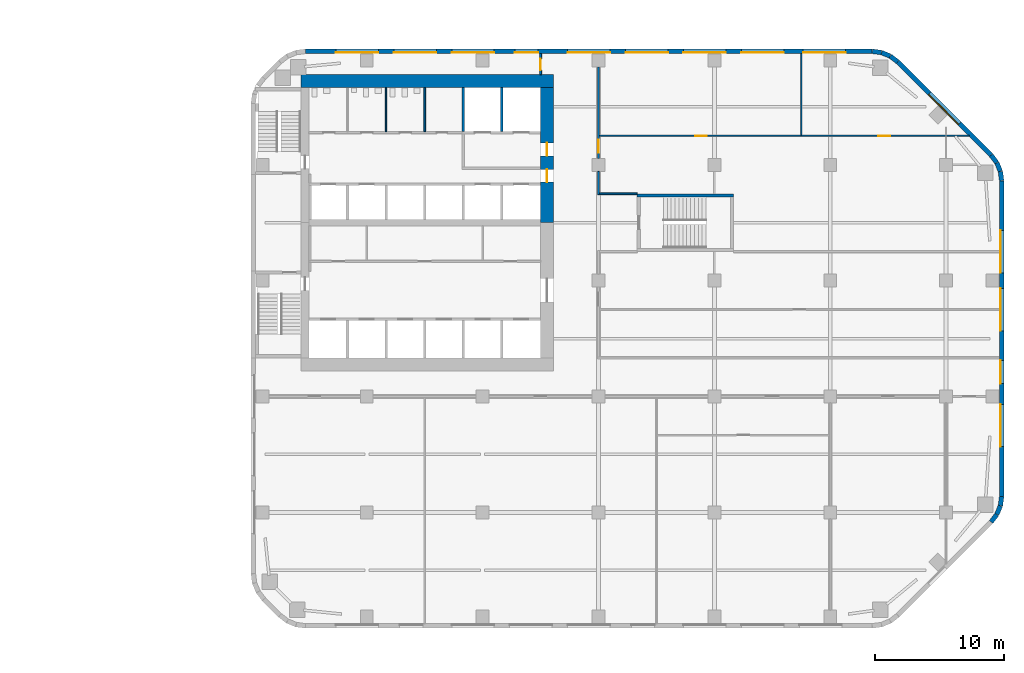
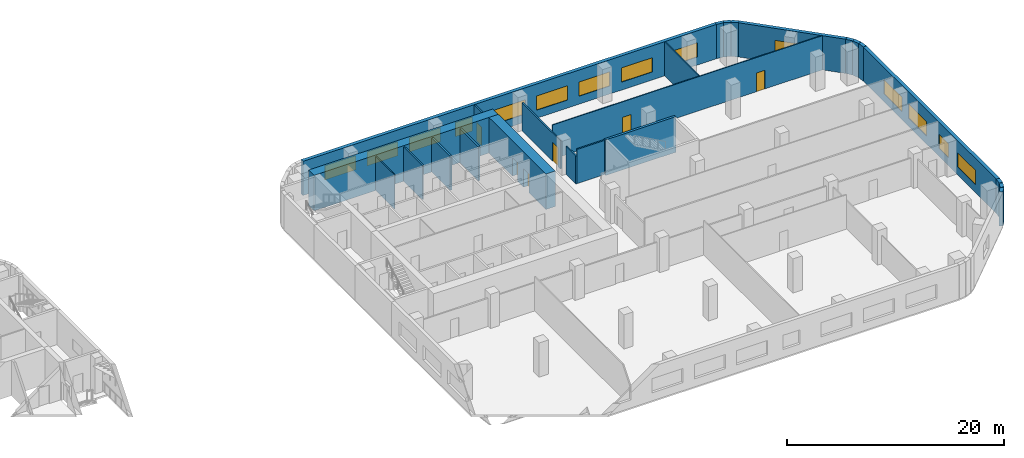
# One storey, part 11 of 15: 25 walls, 14 windows, 6 doors, 20 openings.
"""IFC4 building model written with IfcOpenShell, lengths in metres."""

from ifc_helpers import new_model, si_unit, direction, frame, frame_2d, origin, place, context, subcontext, project, spatial, rectangle, extrude, material, layer, layer_set, type_object, element, fill, save


model = new_model("IFC4")

# Units and contexts
model_context = context("Model", 3, precision=1e-05, world=origin(), true_north=direction((0.0, 1.0)))
body_context = subcontext(model_context, "Body", "Model", "MODEL_VIEW")
ifc_project = project(units=[si_unit("LENGTHUNIT", "METRE"), si_unit("AREAUNIT", "SQUARE_METRE"), si_unit("VOLUMEUNIT", "CUBIC_METRE"), si_unit("PLANEANGLEUNIT", "RADIAN"), si_unit("MASSUNIT", "GRAM", prefix="KILO")], contexts=[model_context])

# Site, building, storey
site_placement = place(None, origin())
site = spatial("IfcSite", under=ifc_project, at=site_placement, CompositionType="ELEMENT")
building_placement = place(site_placement, origin())
building = spatial("IfcBuilding", under=site, at=building_placement, Name="Cinnabar Reach Civic Tower", CompositionType="ELEMENT")
storey_placement = place(building_placement, frame((0.0, 0.0, 51.0)))
storey = spatial("IfcBuildingStorey", under=building, at=storey_placement, Name="L11", CompositionType="ELEMENT", Elevation=51.0)

# Walls
ifc_material_1 = material(Name="Facing brick with insulated backing", Category="masonry")
ifc_layer_1 = layer(ifc_material_1, 0.36)
ifc_layer_set_1 = layer_set([ifc_layer_1], Name="Brick corner wall")
wall_type_1 = type_object("IfcWallType", Name="Brick corner wall", PredefinedType="STANDARD", material=ifc_layer_set_1)
wall_1_placement = place(storey_placement, frame((57.4998, 8.2587, 0.0), z_axis=(0.0, 0.0, 1.0), x_axis=(0.608802368033, 0.793321924995, 0.0)))
element("IfcWall", 1, at=wall_1_placement, inside=storey, type_object=wall_type_1, Name="Brick corner wall", PredefinedType="STANDARD", context=body_context, shape_type="SweptSolid", body=[
    extrude(rectangle(XDim=0.7132, YDim=0.36, at=frame_2d((0.3566, 0.0))), origin(), (0.0, 0.0, 1.0), 3.85),
])
for number, where, z_axis, x_axis, name in (
    (2, (57.9452, 8.8439, 0.0), (0.0, 0.0, 1.0), (0.382702709855, 0.923871547278, 0.0), "Brick corner wall"),
    (3, (58.2239, 9.5244, 0.0), (0.0, 0.0, 1.0), (0.13055608231, 0.99144092581, 0.0), "Brick corner wall"),
    (4, (58.317, 34.7686, 0.0), (0.0, 0.0, 1.0), (-0.13055608231, 0.99144092581, 0.0), "Brick corner wall"),
    (5, (58.2181, 35.4973, 0.0), (0.0, 0.0, 1.0), (-0.382702709855, 0.923871547278, 0.0), "Brick corner wall"),
):
    element("IfcWall", number, at=place(storey_placement, frame(where, z_axis=z_axis, x_axis=x_axis)), inside=storey, type_object=wall_type_1, Name=name, PredefinedType="STANDARD", context=body_context, shape_type="SweptSolid", body=[
        extrude(rectangle(XDim=0.7131, YDim=0.36, at=frame_2d((0.3565, 0.0))), origin(), (0.0, 0.0, 1.0), 3.85),
    ])
for number, where, z_axis, x_axis, name in (
    (6, (57.934, 36.1755, 0.0), (0.0, 0.0, 1.0), (-0.608802368033, 0.793321924995, 0.0), "Brick corner wall"),
    (7, (50.2413, 43.9998, 0.0), (0.0, 0.0, 1.0), (-0.793321924995, 0.608802368033, 0.0), "Brick corner wall"),
):
    element("IfcWall", number, at=place(storey_placement, frame(where, z_axis=z_axis, x_axis=x_axis)), inside=storey, type_object=wall_type_1, Name=name, PredefinedType="STANDARD", context=body_context, shape_type="SweptSolid", body=[
        extrude(rectangle(XDim=0.7132, YDim=0.36, at=frame_2d((0.3566, 0.0))), origin(), (0.0, 0.0, 1.0), 3.85),
    ])
for number, where, z_axis, x_axis, name in (
    (8, (49.6561, 44.4452, 0.0), (0.0, 0.0, 1.0), (-0.923871547278, 0.382702709855, 0.0), "Brick corner wall"),
    (9, (48.9756, 44.7239, 0.0), (0.0, 0.0, 1.0), (-0.99144092581, 0.13055608231, 0.0), "Brick corner wall"),
):
    element("IfcWall", number, at=place(storey_placement, frame(where, z_axis=z_axis, x_axis=x_axis)), inside=storey, type_object=wall_type_1, Name=name, PredefinedType="STANDARD", context=body_context, shape_type="SweptSolid", body=[
        extrude(rectangle(XDim=0.7131, YDim=0.36, at=frame_2d((0.3565, 0.0))), origin(), (0.0, 0.0, 1.0), 3.85),
    ])

# Wall, openings, windows
ifc_layer_2 = layer(ifc_material_1, 0.36)
ifc_layer_set_2 = layer_set([ifc_layer_2], Name="Brick pier and spandrel wall")
wall_type_2 = type_object("IfcWallType", Name="Brick pier and spandrel wall", PredefinedType="STANDARD", material=ifc_layer_set_2)
wall_2_placement = place(storey_placement, frame((58.32, 10.2426, 0.0), z_axis=(0.0, 0.0, 1.0), x_axis=(0.0, 1.0, 0.0)))
wall_2 = element("IfcWall", 10, at=wall_2_placement, inside=storey, type_object=wall_type_2, Name="Brick facade wall", PredefinedType="STANDARD", context=body_context, shape_type="SweptSolid", body=[
    extrude(rectangle(XDim=24.5148, YDim=0.36, at=frame_2d((12.2574, 0.0))), origin(), (0.0, 0.0, 1.0), 3.85),
])
opening_1_placement = place(wall_2_placement, frame((3.8574, 0.0, 0.9)))
opening_1 = element("IfcOpeningElement", 11, at=opening_1_placement, cuts=wall_2, Name="Opening W1169", PredefinedType="OPENING", context=body_context, shape_type="SweptSolid", body=[
    extrude(rectangle(XDim=3.3, YDim=1.6, at=frame_2d((1.65, 0.8))), frame((0.0, 0.19, 0.0), z_axis=(0.0, -1.0, 0.0), x_axis=(1.0, 0.0, 0.0)), (0.0, 0.0, 1.0), 0.38),
])
opening_2_placement = place(wall_2_placement, frame((8.7574, 0.0, 0.9)))
opening_2 = element("IfcOpeningElement", 12, at=opening_2_placement, cuts=wall_2, Name="Opening W1170", PredefinedType="OPENING", context=body_context, shape_type="SweptSolid", body=[
    extrude(rectangle(XDim=1.8, YDim=1.6, at=frame_2d((0.9, 0.8))), frame((0.0, 0.19, 0.0), z_axis=(0.0, -1.0, 0.0), x_axis=(1.0, 0.0, 0.0)), (0.0, 0.0, 1.0), 0.38),
])
opening_3_placement = place(wall_2_placement, frame((12.8574, 0.0, 0.9)))
opening_3 = element("IfcOpeningElement", 13, at=opening_3_placement, cuts=wall_2, Name="Opening W1171", PredefinedType="OPENING", context=body_context, shape_type="SweptSolid", body=[
    extrude(rectangle(XDim=3.3, YDim=1.6, at=frame_2d((1.65, 0.8))), frame((0.0, 0.19, 0.0), z_axis=(0.0, -1.0, 0.0), x_axis=(1.0, 0.0, 0.0)), (0.0, 0.0, 1.0), 0.38),
])
opening_4_placement = place(wall_2_placement, frame((17.3574, 0.0, 0.9)))
opening_4 = element("IfcOpeningElement", 14, at=opening_4_placement, cuts=wall_2, Name="Opening W1172", PredefinedType="OPENING", context=body_context, shape_type="SweptSolid", body=[
    extrude(rectangle(XDim=3.3, YDim=1.6, at=frame_2d((1.65, 0.8))), frame((0.0, 0.19, 0.0), z_axis=(0.0, -1.0, 0.0), x_axis=(1.0, 0.0, 0.0)), (0.0, 0.0, 1.0), 0.38),
])
ifc_material_2 = material(Name="Clear double glazing in aluminium frame", Category="aluminium")
window_type_1 = type_object("IfcWindowType", Name="Deep-set window A", PartitioningType="SINGLE_PANEL", PredefinedType="WINDOW", material=ifc_material_2)
window_1_placement = place(opening_1_placement, origin())
window_1 = element("IfcWindow", 15, at=window_1_placement, inside=storey, type_object=window_type_1, Name="Window east face", OverallHeight=1.6, OverallWidth=3.3, PartitioningType="SINGLE_PANEL", PredefinedType="WINDOW", context=body_context, shape_type="SweptSolid", body=[
    extrude(rectangle(XDim=3.3, YDim=1.6, at=frame_2d((1.65, 0.8))), frame((0.0, 0.13, 0.0), z_axis=(0.0, -1.0, 0.0), x_axis=(1.0, 0.0, 0.0)), (0.0, 0.0, 1.0), 0.06),
])
fill(opening_1, window_1)
window_2_placement = place(opening_3_placement, origin())
window_2 = element("IfcWindow", 16, at=window_2_placement, inside=storey, type_object=window_type_1, Name="Window east face", OverallHeight=1.6, OverallWidth=3.3, PartitioningType="SINGLE_PANEL", PredefinedType="WINDOW", context=body_context, shape_type="SweptSolid", body=[
    extrude(rectangle(XDim=3.3, YDim=1.6, at=frame_2d((1.65, 0.8))), frame((0.0, 0.13, 0.0), z_axis=(0.0, -1.0, 0.0), x_axis=(1.0, 0.0, 0.0)), (0.0, 0.0, 1.0), 0.06),
])
fill(opening_3, window_2)
window_3_placement = place(opening_4_placement, origin())
window_3 = element("IfcWindow", 17, at=window_3_placement, inside=storey, type_object=window_type_1, Name="Window east face", OverallHeight=1.6, OverallWidth=3.3, PartitioningType="SINGLE_PANEL", PredefinedType="WINDOW", context=body_context, shape_type="SweptSolid", body=[
    extrude(rectangle(XDim=3.3, YDim=1.6, at=frame_2d((1.65, 0.8))), frame((0.0, 0.13, 0.0), z_axis=(0.0, -1.0, 0.0), x_axis=(1.0, 0.0, 0.0)), (0.0, 0.0, 1.0), 0.06),
])
fill(opening_4, window_3)
window_type_2 = type_object("IfcWindowType", Name="Deep-set window D", PartitioningType="SINGLE_PANEL", PredefinedType="WINDOW", material=ifc_material_2)
window_4_placement = place(opening_2_placement, origin())
window_4 = element("IfcWindow", 18, at=window_4_placement, inside=storey, type_object=window_type_2, Name="Window east face", OverallHeight=1.6, OverallWidth=1.8, PartitioningType="SINGLE_PANEL", PredefinedType="WINDOW", context=body_context, shape_type="SweptSolid", body=[
    extrude(rectangle(XDim=1.8, YDim=1.6, at=frame_2d((0.9, 0.8))), frame((0.0, 0.13, 0.0), z_axis=(0.0, -1.0, 0.0), x_axis=(1.0, 0.0, 0.0)), (0.0, 0.0, 1.0), 0.06),
])
fill(opening_2, window_4)

# Wall, opening, window
wall_3_placement = place(storey_placement, frame((57.494, 36.7514, 0.0), z_axis=(0.0, 0.0, 1.0), x_axis=(-0.707106781187, 0.707106781187, 0.0)))
wall_3 = element("IfcWall", 19, at=wall_3_placement, inside=storey, type_object=wall_type_2, Name="Brick facade wall", PredefinedType="STANDARD", context=body_context, shape_type="SweptSolid", body=[
    extrude(rectangle(XDim=10.2426, YDim=0.36, at=frame_2d((5.1213, 0.0))), origin(), (0.0, 0.0, 1.0), 3.85),
])
opening_5_placement = place(wall_3_placement, frame((3.4713, 0.0, 0.9)))
opening_5 = element("IfcOpeningElement", 20, at=opening_5_placement, cuts=wall_3, Name="Opening W1173", PredefinedType="OPENING", context=body_context, shape_type="SweptSolid", body=[
    extrude(rectangle(XDim=3.3, YDim=1.6, at=frame_2d((1.65, 0.8))), frame((0.0, 0.19, 0.0), z_axis=(0.0, -1.0, 0.0), x_axis=(1.0, 0.0, 0.0)), (0.0, 0.0, 1.0), 0.38),
])
window_5_placement = place(opening_5_placement, origin())
window_5 = element("IfcWindow", 21, at=window_5_placement, inside=storey, type_object=window_type_1, Name="Window northeast face", OverallHeight=1.6, OverallWidth=3.3, PartitioningType="SINGLE_PANEL", PredefinedType="WINDOW", context=body_context, shape_type="SweptSolid", body=[
    extrude(rectangle(XDim=3.3, YDim=1.6, at=frame_2d((1.65, 0.8))), frame((0.0, 0.13, 0.0), z_axis=(0.0, -1.0, 0.0), x_axis=(1.0, 0.0, 0.0)), (0.0, 0.0, 1.0), 0.06),
])
fill(opening_5, window_5)

# Wall, openings, windows
wall_4_placement = place(storey_placement, frame((48.2574, 44.82, 0.0), z_axis=(0.0, 0.0, 1.0), x_axis=(-1.0, 0.0, 0.0)))
wall_4 = element("IfcWall", 22, at=wall_4_placement, inside=storey, type_object=wall_type_2, Name="Brick facade wall", PredefinedType="STANDARD", context=body_context, shape_type="SweptSolid", body=[
    extrude(rectangle(XDim=44.0148, YDim=0.36, at=frame_2d((22.0074, 0.0))), origin(), (0.0, 0.0, 1.0), 3.85),
])
opening_6_placement = place(wall_4_placement, frame((2.0574, 0.0, 0.9)))
opening_6 = element("IfcOpeningElement", 23, at=opening_6_placement, cuts=wall_4, Name="Opening W1174", PredefinedType="OPENING", context=body_context, shape_type="SweptSolid", body=[
    extrude(rectangle(XDim=3.3, YDim=1.6, at=frame_2d((1.65, 0.8))), frame((0.0, 0.19, 0.0), z_axis=(0.0, -1.0, 0.0), x_axis=(1.0, 0.0, 0.0)), (0.0, 0.0, 1.0), 0.38),
])
opening_7_placement = place(wall_4_placement, frame((6.8574, 0.0, 0.9)))
opening_7 = element("IfcOpeningElement", 24, at=opening_7_placement, cuts=wall_4, Name="Opening W1175", PredefinedType="OPENING", context=body_context, shape_type="SweptSolid", body=[
    extrude(rectangle(XDim=3.3, YDim=1.6, at=frame_2d((1.65, 0.8))), frame((0.0, 0.19, 0.0), z_axis=(0.0, -1.0, 0.0), x_axis=(1.0, 0.0, 0.0)), (0.0, 0.0, 1.0), 0.38),
])
opening_8_placement = place(wall_4_placement, frame((11.3574, 0.0, 0.9)))
opening_8 = element("IfcOpeningElement", 25, at=opening_8_placement, cuts=wall_4, Name="Opening W1176", PredefinedType="OPENING", context=body_context, shape_type="SweptSolid", body=[
    extrude(rectangle(XDim=3.3, YDim=1.6, at=frame_2d((1.65, 0.8))), frame((0.0, 0.19, 0.0), z_axis=(0.0, -1.0, 0.0), x_axis=(1.0, 0.0, 0.0)), (0.0, 0.0, 1.0), 0.38),
])
opening_9_placement = place(wall_4_placement, frame((15.8574, 0.0, 0.9)))
opening_9 = element("IfcOpeningElement", 26, at=opening_9_placement, cuts=wall_4, Name="Opening W1177", PredefinedType="OPENING", context=body_context, shape_type="SweptSolid", body=[
    extrude(rectangle(XDim=3.3, YDim=1.6, at=frame_2d((1.65, 0.8))), frame((0.0, 0.19, 0.0), z_axis=(0.0, -1.0, 0.0), x_axis=(1.0, 0.0, 0.0)), (0.0, 0.0, 1.0), 0.38),
])
opening_10_placement = place(wall_4_placement, frame((20.3574, 0.0, 0.9)))
opening_10 = element("IfcOpeningElement", 27, at=opening_10_placement, cuts=wall_4, Name="Opening W1178", PredefinedType="OPENING", context=body_context, shape_type="SweptSolid", body=[
    extrude(rectangle(XDim=3.3, YDim=1.6, at=frame_2d((1.65, 0.8))), frame((0.0, 0.19, 0.0), z_axis=(0.0, -1.0, 0.0), x_axis=(1.0, 0.0, 0.0)), (0.0, 0.0, 1.0), 0.38),
])
opening_11_placement = place(wall_4_placement, frame((25.9574, 0.0, 0.9)))
opening_11 = element("IfcOpeningElement", 28, at=opening_11_placement, cuts=wall_4, Name="Opening W1179", PredefinedType="OPENING", context=body_context, shape_type="SweptSolid", body=[
    extrude(rectangle(XDim=1.8, YDim=1.6, at=frame_2d((0.9, 0.8))), frame((0.0, 0.19, 0.0), z_axis=(0.0, -1.0, 0.0), x_axis=(1.0, 0.0, 0.0)), (0.0, 0.0, 1.0), 0.38),
])
opening_12_placement = place(wall_4_placement, frame((29.3574, 0.0, 0.9)))
opening_12 = element("IfcOpeningElement", 29, at=opening_12_placement, cuts=wall_4, Name="Opening W1180", PredefinedType="OPENING", context=body_context, shape_type="SweptSolid", body=[
    extrude(rectangle(XDim=3.3, YDim=1.6, at=frame_2d((1.65, 0.8))), frame((0.0, 0.19, 0.0), z_axis=(0.0, -1.0, 0.0), x_axis=(1.0, 0.0, 0.0)), (0.0, 0.0, 1.0), 0.38),
])
opening_13_placement = place(wall_4_placement, frame((33.8574, 0.0, 0.9)))
opening_13 = element("IfcOpeningElement", 30, at=opening_13_placement, cuts=wall_4, Name="Opening W1181", PredefinedType="OPENING", context=body_context, shape_type="SweptSolid", body=[
    extrude(rectangle(XDim=3.3, YDim=1.6, at=frame_2d((1.65, 0.8))), frame((0.0, 0.19, 0.0), z_axis=(0.0, -1.0, 0.0), x_axis=(1.0, 0.0, 0.0)), (0.0, 0.0, 1.0), 0.38),
])
opening_14_placement = place(wall_4_placement, frame((38.3574, 0.0, 0.9)))
opening_14 = element("IfcOpeningElement", 31, at=opening_14_placement, cuts=wall_4, Name="Opening W1182", PredefinedType="OPENING", context=body_context, shape_type="SweptSolid", body=[
    extrude(rectangle(XDim=3.3, YDim=1.6, at=frame_2d((1.65, 0.8))), frame((0.0, 0.19, 0.0), z_axis=(0.0, -1.0, 0.0), x_axis=(1.0, 0.0, 0.0)), (0.0, 0.0, 1.0), 0.38),
])
window_6_placement = place(opening_6_placement, origin())
window_6 = element("IfcWindow", 32, at=window_6_placement, inside=storey, type_object=window_type_1, Name="Window north face", OverallHeight=1.6, OverallWidth=3.3, PartitioningType="SINGLE_PANEL", PredefinedType="WINDOW", context=body_context, shape_type="SweptSolid", body=[
    extrude(rectangle(XDim=3.3, YDim=1.6, at=frame_2d((1.65, 0.8))), frame((0.0, 0.13, 0.0), z_axis=(0.0, -1.0, 0.0), x_axis=(1.0, 0.0, 0.0)), (0.0, 0.0, 1.0), 0.06),
])
fill(opening_6, window_6)
window_7_placement = place(opening_7_placement, origin())
window_7 = element("IfcWindow", 33, at=window_7_placement, inside=storey, type_object=window_type_1, Name="Window north face", OverallHeight=1.6, OverallWidth=3.3, PartitioningType="SINGLE_PANEL", PredefinedType="WINDOW", context=body_context, shape_type="SweptSolid", body=[
    extrude(rectangle(XDim=3.3, YDim=1.6, at=frame_2d((1.65, 0.8))), frame((0.0, 0.13, 0.0), z_axis=(0.0, -1.0, 0.0), x_axis=(1.0, 0.0, 0.0)), (0.0, 0.0, 1.0), 0.06),
])
fill(opening_7, window_7)
window_8_placement = place(opening_8_placement, origin())
window_8 = element("IfcWindow", 34, at=window_8_placement, inside=storey, type_object=window_type_1, Name="Window north face", OverallHeight=1.6, OverallWidth=3.3, PartitioningType="SINGLE_PANEL", PredefinedType="WINDOW", context=body_context, shape_type="SweptSolid", body=[
    extrude(rectangle(XDim=3.3, YDim=1.6, at=frame_2d((1.65, 0.8))), frame((0.0, 0.13, 0.0), z_axis=(0.0, -1.0, 0.0), x_axis=(1.0, 0.0, 0.0)), (0.0, 0.0, 1.0), 0.06),
])
fill(opening_8, window_8)
window_9_placement = place(opening_9_placement, origin())
window_9 = element("IfcWindow", 35, at=window_9_placement, inside=storey, type_object=window_type_1, Name="Window north face", OverallHeight=1.6, OverallWidth=3.3, PartitioningType="SINGLE_PANEL", PredefinedType="WINDOW", context=body_context, shape_type="SweptSolid", body=[
    extrude(rectangle(XDim=3.3, YDim=1.6, at=frame_2d((1.65, 0.8))), frame((0.0, 0.13, 0.0), z_axis=(0.0, -1.0, 0.0), x_axis=(1.0, 0.0, 0.0)), (0.0, 0.0, 1.0), 0.06),
])
fill(opening_9, window_9)
window_10_placement = place(opening_10_placement, origin())
window_10 = element("IfcWindow", 36, at=window_10_placement, inside=storey, type_object=window_type_1, Name="Window north face", OverallHeight=1.6, OverallWidth=3.3, PartitioningType="SINGLE_PANEL", PredefinedType="WINDOW", context=body_context, shape_type="SweptSolid", body=[
    extrude(rectangle(XDim=3.3, YDim=1.6, at=frame_2d((1.65, 0.8))), frame((0.0, 0.13, 0.0), z_axis=(0.0, -1.0, 0.0), x_axis=(1.0, 0.0, 0.0)), (0.0, 0.0, 1.0), 0.06),
])
fill(opening_10, window_10)
window_11_placement = place(opening_12_placement, origin())
window_11 = element("IfcWindow", 37, at=window_11_placement, inside=storey, type_object=window_type_1, Name="Window north face", OverallHeight=1.6, OverallWidth=3.3, PartitioningType="SINGLE_PANEL", PredefinedType="WINDOW", context=body_context, shape_type="SweptSolid", body=[
    extrude(rectangle(XDim=3.3, YDim=1.6, at=frame_2d((1.65, 0.8))), frame((0.0, 0.13, 0.0), z_axis=(0.0, -1.0, 0.0), x_axis=(1.0, 0.0, 0.0)), (0.0, 0.0, 1.0), 0.06),
])
fill(opening_12, window_11)
window_12_placement = place(opening_13_placement, origin())
window_12 = element("IfcWindow", 38, at=window_12_placement, inside=storey, type_object=window_type_1, Name="Window north face", OverallHeight=1.6, OverallWidth=3.3, PartitioningType="SINGLE_PANEL", PredefinedType="WINDOW", context=body_context, shape_type="SweptSolid", body=[
    extrude(rectangle(XDim=3.3, YDim=1.6, at=frame_2d((1.65, 0.8))), frame((0.0, 0.13, 0.0), z_axis=(0.0, -1.0, 0.0), x_axis=(1.0, 0.0, 0.0)), (0.0, 0.0, 1.0), 0.06),
])
fill(opening_13, window_12)
window_13_placement = place(opening_14_placement, origin())
window_13 = element("IfcWindow", 39, at=window_13_placement, inside=storey, type_object=window_type_1, Name="Window north face", OverallHeight=1.6, OverallWidth=3.3, PartitioningType="SINGLE_PANEL", PredefinedType="WINDOW", context=body_context, shape_type="SweptSolid", body=[
    extrude(rectangle(XDim=3.3, YDim=1.6, at=frame_2d((1.65, 0.8))), frame((0.0, 0.13, 0.0), z_axis=(0.0, -1.0, 0.0), x_axis=(1.0, 0.0, 0.0)), (0.0, 0.0, 1.0), 0.06),
])
fill(opening_14, window_13)
window_14_placement = place(opening_11_placement, origin())
window_14 = element("IfcWindow", 40, at=window_14_placement, inside=storey, type_object=window_type_2, Name="Window north face", OverallHeight=1.6, OverallWidth=1.8, PartitioningType="SINGLE_PANEL", PredefinedType="WINDOW", context=body_context, shape_type="SweptSolid", body=[
    extrude(rectangle(XDim=1.8, YDim=1.6, at=frame_2d((0.9, 0.8))), frame((0.0, 0.13, 0.0), z_axis=(0.0, -1.0, 0.0), x_axis=(1.0, 0.0, 0.0)), (0.0, 0.0, 1.0), 0.06),
])
fill(opening_11, window_14)

# Wall
ifc_material_3 = material(Name="Concrete C70", Category="concrete")
ifc_layer_3 = layer(ifc_material_3, 1.0)
ifc_layer_set_3 = layer_set([ifc_layer_3], Name="Core wall 1000 EI 180")
wall_type_3 = type_object("IfcWallType", Name="Core wall 1000 EI 180", PredefinedType="SOLIDWALL", material=ifc_layer_set_3)
wall_5_placement = place(storey_placement, frame((23.5, 42.5, 0.0), z_axis=(0.0, 0.0, 1.0), x_axis=(-1.0, 0.0, 0.0)))
element("IfcWall", 41, at=wall_5_placement, inside=storey, type_object=wall_type_3, Name="Core wall T1 L11 N", PredefinedType="SOLIDWALL", context=body_context, shape_type="SweptSolid", body=[
    extrude(rectangle(XDim=19.6, YDim=1.0, at=frame_2d((9.8, 0.0))), origin(), (0.0, 0.0, 1.0), 4.0),
])

# Wall, openings, doors
wall_6_placement = place(storey_placement, frame((23.0, 31.5, 0.0), z_axis=(0.0, 0.0, 1.0), x_axis=(0.0, 1.0, 0.0)))
wall_6 = element("IfcWall", 42, at=wall_6_placement, inside=storey, type_object=wall_type_3, Name="Core wall T1 L11 E2", PredefinedType="SOLIDWALL", context=body_context, shape_type="SweptSolid", body=[
    extrude(rectangle(XDim=10.5, YDim=1.0, at=frame_2d((5.25, 0.0))), origin(), (0.0, 0.0, 1.0), 4.0),
])
opening_15_placement = place(wall_6_placement, frame((3.15, 0.0, 0.0)))
opening_15 = element("IfcOpeningElement", 43, at=opening_15_placement, cuts=wall_6, Name="Opening D3448", PredefinedType="OPENING", context=body_context, shape_type="SweptSolid", body=[
    extrude(rectangle(XDim=1.0, YDim=2.1, at=frame_2d((0.5, 1.05))), frame((0.0, 0.51, 0.0), z_axis=(0.0, -1.0, 0.0), x_axis=(1.0, 0.0, 0.0)), (0.0, 0.0, 1.0), 1.02),
])
opening_16_placement = place(wall_6_placement, frame((5.2, 0.0, 0.0)))
opening_16 = element("IfcOpeningElement", 44, at=opening_16_placement, cuts=wall_6, Name="Opening D3449", PredefinedType="OPENING", context=body_context, shape_type="SweptSolid", body=[
    extrude(rectangle(XDim=1.0, YDim=2.1, at=frame_2d((0.5, 1.05))), frame((0.0, 0.51, 0.0), z_axis=(0.0, -1.0, 0.0), x_axis=(1.0, 0.0, 0.0)), (0.0, 0.0, 1.0), 1.02),
])
ifc_material_4 = material(Name="Timber door leaf in steel frame", Category="steel")
door_type_1 = type_object("IfcDoorType", Name="Firefighting lobby door 1000 x 2100 T1", OperationType="SINGLE_SWING_LEFT", PredefinedType="DOOR", material=ifc_material_4)
door_1_placement = place(opening_16_placement, origin())
door_1 = element("IfcDoor", 45, at=door_1_placement, inside=storey, type_object=door_type_1, Name="Door D3449", OperationType="SINGLE_SWING_LEFT", OverallHeight=2.1, OverallWidth=1.0, PredefinedType="DOOR", context=body_context, shape_type="SweptSolid", body=[
    extrude(rectangle(XDim=1.0, YDim=2.1, at=frame_2d((0.5, 1.05))), frame((0.0, 0.025, 0.0), z_axis=(0.0, -1.0, 0.0), x_axis=(1.0, 0.0, 0.0)), (0.0, 0.0, 1.0), 0.05),
])
fill(opening_16, door_1)
door_type_2 = type_object("IfcDoorType", Name="Single swing door 1000 x 2100 T1", OperationType="SINGLE_SWING_LEFT", PredefinedType="DOOR", material=ifc_material_4)
door_2_placement = place(opening_15_placement, origin())
door_2 = element("IfcDoor", 46, at=door_2_placement, inside=storey, type_object=door_type_2, Name="Door D3448", OperationType="SINGLE_SWING_RIGHT", OverallHeight=2.1, OverallWidth=1.0, PredefinedType="DOOR", context=body_context, shape_type="SweptSolid", body=[
    extrude(rectangle(XDim=1.0, YDim=2.1, at=frame_2d((0.5, 1.05))), frame((0.0, 0.025, 0.0), z_axis=(0.0, -1.0, 0.0), x_axis=(1.0, 0.0, 0.0)), (0.0, 0.0, 1.0), 0.05),
])
fill(opening_15, door_2)

# Wall
ifc_material_5 = material(Name="Gypsum board on steel studs, double layer", Category="steel")
ifc_layer_4 = layer(ifc_material_5, 0.15)
ifc_layer_set_4 = layer_set([ifc_layer_4], Name="Corridor wall 150 T1")
wall_type_4 = type_object("IfcWallType", Name="Corridor wall 150 T1", PredefinedType="PARTITIONING", material=ifc_layer_set_4)
wall_7_placement = place(storey_placement, frame((27.0, 33.675, 0.0), z_axis=(0.0, 0.0, 1.0), x_axis=(0.0, 1.0, 0.0)))
element("IfcWall", 47, at=wall_7_placement, inside=storey, type_object=wall_type_4, Name="Corridor wall 29", PredefinedType="PARTITIONING", context=body_context, shape_type="SweptSolid", body=[
    extrude(rectangle(XDim=1.825, YDim=0.15, at=frame_2d((0.9125, 0.0))), origin(), (0.0, 0.0, 1.0), 3.158),
])

# Wall, opening, door
wall_8_placement = place(storey_placement, frame((27.0, 36.5, 0.0), z_axis=(0.0, 0.0, 1.0), x_axis=(0.0, 1.0, 0.0)))
wall_8 = element("IfcWall", 48, at=wall_8_placement, inside=storey, type_object=wall_type_4, Name="Corridor wall 30", PredefinedType="PARTITIONING", context=body_context, shape_type="SweptSolid", body=[
    extrude(rectangle(XDim=7.1, YDim=0.15, at=frame_2d((3.55, 0.0))), origin(), (0.0, 0.0, 1.0), 3.158),
])
opening_17_placement = place(wall_8_placement, frame((0.45, 0.0, 0.0)))
opening_17 = element("IfcOpeningElement", 49, at=opening_17_placement, cuts=wall_8, Name="Opening D3458", PredefinedType="OPENING", context=body_context, shape_type="SweptSolid", body=[
    extrude(rectangle(XDim=1.0, YDim=2.1, at=frame_2d((0.5, 1.05))), frame((0.0, 0.085, 0.0), z_axis=(0.0, -1.0, 0.0), x_axis=(1.0, 0.0, 0.0)), (0.0, 0.0, 1.0), 0.17),
])
door_type_3 = type_object("IfcDoorType", Name="Tenancy entrance door 1000 x 2100 T1", OperationType="SINGLE_SWING_LEFT", PredefinedType="DOOR", material=ifc_material_4)
door_3_placement = place(opening_17_placement, frame((1.0, 0.0, 0.0), z_axis=(0.0, 0.0, 1.0), x_axis=(-1.0, 0.0, 0.0)))
door_3 = element("IfcDoor", 50, at=door_3_placement, inside=storey, type_object=door_type_3, Name="Door D3458", OperationType="SINGLE_SWING_LEFT", OverallHeight=2.1, OverallWidth=1.0, PredefinedType="DOOR", context=body_context, shape_type="SweptSolid", body=[
    extrude(rectangle(XDim=1.0, YDim=2.1, at=frame_2d((0.5, 1.05))), frame((0.0, 0.025, 0.0), z_axis=(0.0, -1.0, 0.0), x_axis=(1.0, 0.0, 0.0)), (0.0, 0.0, 1.0), 0.05),
])
fill(opening_17, door_3)

# Wall
wall_9_placement = place(storey_placement, frame((27.075, 33.75, 0.0), z_axis=(0.0, 0.0, 1.0), x_axis=(1.0, 0.0, 0.0)))
element("IfcWall", 51, at=wall_9_placement, inside=storey, type_object=wall_type_4, Name="Corridor wall 36", PredefinedType="PARTITIONING", context=body_context, shape_type="SweptSolid", body=[
    extrude(rectangle(XDim=2.925, YDim=0.15, at=frame_2d((1.4625, 0.0))), origin(), (0.0, 0.0, 1.0), 3.85),
])

# Wall, opening, door
wall_10_placement = place(storey_placement, frame((22.5, 43.0, 0.0), z_axis=(0.0, 0.0, 1.0), x_axis=(0.0, 1.0, 0.0)))
wall_10 = element("IfcWall", 52, at=wall_10_placement, inside=storey, type_object=wall_type_4, Name="Corridor wall 37", PredefinedType="PARTITIONING", context=body_context, shape_type="SweptSolid", body=[
    extrude(rectangle(XDim=1.64, YDim=0.15, at=frame_2d((0.82, 0.0))), origin(), (0.0, 0.0, 1.0), 3.85),
])
opening_18_placement = place(wall_10_placement, frame((0.35, 0.0, 0.0)))
opening_18 = element("IfcOpeningElement", 53, at=opening_18_placement, cuts=wall_10, Name="Opening D5775", PredefinedType="OPENING", context=body_context, shape_type="SweptSolid", body=[
    extrude(rectangle(XDim=0.9, YDim=2.1, at=frame_2d((0.45, 1.05))), frame((0.0, 0.085, 0.0), z_axis=(0.0, -1.0, 0.0), x_axis=(1.0, 0.0, 0.0)), (0.0, 0.0, 1.0), 0.17),
])
door_type_4 = type_object("IfcDoorType", Name="Single swing door 900 x 2100 corridor T1", OperationType="SINGLE_SWING_LEFT", PredefinedType="DOOR", material=ifc_material_4)
door_4_placement = place(opening_18_placement, origin())
door_4 = element("IfcDoor", 54, at=door_4_placement, inside=storey, type_object=door_type_4, Name="Door D5775", OperationType="SINGLE_SWING_LEFT", OverallHeight=2.1, OverallWidth=0.9, PredefinedType="DOOR", context=body_context, shape_type="SweptSolid", body=[
    extrude(rectangle(XDim=0.9, YDim=2.1, at=frame_2d((0.45, 1.05))), frame((0.0, 0.025, 0.0), z_axis=(0.0, -1.0, 0.0), x_axis=(1.0, 0.0, 0.0)), (0.0, 0.0, 1.0), 0.05),
])
fill(opening_18, door_4)

# Walls
ifc_material_6 = material(Name="Blockwork", Category="masonry")
ifc_layer_5 = layer(ifc_material_6, 0.2)
ifc_layer_set_5 = layer_set([ifc_layer_5], Name="Lift shaft wall 200 T1")
wall_type_5 = type_object("IfcWallType", Name="Lift shaft wall 200 T1", PredefinedType="PARTITIONING", material=ifc_layer_set_5)
for number, where, z_axis, x_axis, name in (
    (55, (16.5, 38.6, 0.0), (0.0, 0.0, 1.0), (0.0, 1.0, 0.0), "Lift shaft wall 6"),
    (56, (19.5, 38.6, 0.0), (0.0, 0.0, 1.0), (0.0, 1.0, 0.0), "Lift shaft wall 7"),
):
    element("IfcWall", number, at=place(storey_placement, frame(where, z_axis=z_axis, x_axis=x_axis)), inside=storey, type_object=wall_type_5, Name=name, PredefinedType="PARTITIONING", context=body_context, shape_type="SweptSolid", body=[
        extrude(rectangle(XDim=3.4, YDim=0.2, at=frame_2d((1.7, 0.0))), origin(), (0.0, 0.0, 1.0), 3.85),
    ])

# Wall, openings, doors
ifc_material_7 = material(Name="Gypsum board on steel studs", Category="steel")
ifc_layer_6 = layer(ifc_material_7, 0.1)
ifc_layer_set_6 = layer_set([ifc_layer_6], Name="Partition wall 100 T1")
wall_type_6 = type_object("IfcWallType", Name="Partition wall 100 T1", PredefinedType="PARTITIONING", material=ifc_layer_set_6)
wall_11_placement = place(storey_placement, frame((27.075, 38.25, 0.0), z_axis=(0.0, 0.0, 1.0), x_axis=(1.0, 0.0, 0.0)))
wall_11 = element("IfcWall", 57, at=wall_11_placement, inside=storey, type_object=wall_type_6, Name="Partition wall 42", PredefinedType="PARTITIONING", context=body_context, shape_type="SweptSolid", body=[
    extrude(rectangle(XDim=28.7159, YDim=0.1, at=frame_2d((14.358, 0.0))), origin(), (0.0, 0.0, 1.0), 3.85),
])
opening_19_placement = place(wall_11_placement, frame((7.45, 0.0, 0.0)))
opening_19 = element("IfcOpeningElement", 58, at=opening_19_placement, cuts=wall_11, Name="Opening D3459", PredefinedType="OPENING", context=body_context, shape_type="SweptSolid", body=[
    extrude(rectangle(XDim=0.9, YDim=2.1, at=frame_2d((0.45, 1.05))), frame((0.0, 0.06, 0.0), z_axis=(0.0, -1.0, 0.0), x_axis=(1.0, 0.0, 0.0)), (0.0, 0.0, 1.0), 0.12),
])
opening_20_placement = place(wall_11_placement, frame((21.675, 0.0, 0.0)))
opening_20 = element("IfcOpeningElement", 59, at=opening_20_placement, cuts=wall_11, Name="Opening D3460", PredefinedType="OPENING", context=body_context, shape_type="SweptSolid", body=[
    extrude(rectangle(XDim=0.9, YDim=2.1, at=frame_2d((0.45, 1.05))), frame((0.0, 0.06, 0.0), z_axis=(0.0, -1.0, 0.0), x_axis=(1.0, 0.0, 0.0)), (0.0, 0.0, 1.0), 0.12),
])
door_type_5 = type_object("IfcDoorType", Name="Single swing door 900 x 2100 T1", OperationType="SINGLE_SWING_LEFT", PredefinedType="DOOR", material=ifc_material_4)
door_5_placement = place(opening_19_placement, origin())
door_5 = element("IfcDoor", 60, at=door_5_placement, inside=storey, type_object=door_type_5, Name="Door D3459", OperationType="SINGLE_SWING_LEFT", OverallHeight=2.1, OverallWidth=0.9, PredefinedType="DOOR", context=body_context, shape_type="SweptSolid", body=[
    extrude(rectangle(XDim=0.9, YDim=2.1, at=frame_2d((0.45, 1.05))), frame((0.0, 0.025, 0.0), z_axis=(0.0, -1.0, 0.0), x_axis=(1.0, 0.0, 0.0)), (0.0, 0.0, 1.0), 0.05),
])
fill(opening_19, door_5)
door_6_placement = place(opening_20_placement, origin())
door_6 = element("IfcDoor", 61, at=door_6_placement, inside=storey, type_object=door_type_5, Name="Door D3460", OperationType="SINGLE_SWING_LEFT", OverallHeight=2.1, OverallWidth=0.9, PredefinedType="DOOR", context=body_context, shape_type="SweptSolid", body=[
    extrude(rectangle(XDim=0.9, YDim=2.1, at=frame_2d((0.45, 1.05))), frame((0.0, 0.025, 0.0), z_axis=(0.0, -1.0, 0.0), x_axis=(1.0, 0.0, 0.0)), (0.0, 0.0, 1.0), 0.05),
])
fill(opening_20, door_6)

# Walls
wall_12_placement = place(storey_placement, frame((42.75, 38.3, 0.0), z_axis=(0.0, 0.0, 1.0), x_axis=(0.0, 1.0, 0.0)))
element("IfcWall", 62, at=wall_12_placement, inside=storey, type_object=wall_type_6, Name="Partition wall 50", PredefinedType="PARTITIONING", context=body_context, shape_type="SweptSolid", body=[
    extrude(rectangle(XDim=6.34, YDim=0.1, at=frame_2d((3.17, 0.0))), origin(), (0.0, 0.0, 1.0), 3.85),
])
wall_13_placement = place(storey_placement, frame((10.5, 38.575, 0.0), z_axis=(0.0, 0.0, 1.0), x_axis=(0.0, 1.0, 0.0)))
element("IfcWall", 63, at=wall_13_placement, inside=storey, type_object=wall_type_6, Name="Partition wall 52", PredefinedType="PARTITIONING", context=body_context, shape_type="SweptSolid", body=[
    extrude(rectangle(XDim=3.425, YDim=0.1, at=frame_2d((1.7125, 0.0))), origin(), (0.0, 0.0, 1.0), 3.85),
])
ifc_layer_7 = layer(ifc_material_6, 0.15)
ifc_layer_set_7 = layer_set([ifc_layer_7], Name="Riser wall 150 T1")
wall_type_7 = type_object("IfcWallType", Name="Riser wall 150 T1", PredefinedType="PARTITIONING", material=ifc_layer_set_7)
wall_14_placement = place(storey_placement, frame((13.5, 38.575, 0.0), z_axis=(0.0, 0.0, 1.0), x_axis=(0.0, 1.0, 0.0)))
element("IfcWall", 64, at=wall_14_placement, inside=storey, type_object=wall_type_7, Name="Riser wall 39", PredefinedType="PARTITIONING", context=body_context, shape_type="SweptSolid", body=[
    extrude(rectangle(XDim=3.425, YDim=0.15, at=frame_2d((1.7125, 0.0))), origin(), (0.0, 0.0, 1.0), 3.85),
])
ifc_material_8 = material(Name="Concrete C60", Category="concrete")
ifc_layer_8 = layer(ifc_material_8, 0.25)
ifc_layer_set_8 = layer_set([ifc_layer_8], Name="Stair shaft wall 250 EI 120")
wall_type_8 = type_object("IfcWallType", Name="Stair shaft wall 250 EI 120", PredefinedType="SOLIDWALL", material=ifc_layer_set_8)
wall_15_placement = place(storey_placement, frame((37.5, 33.625, 0.0), z_axis=(0.0, 0.0, 1.0), x_axis=(-1.0, 0.0, 0.0)))
element("IfcWall", 65, at=wall_15_placement, inside=storey, type_object=wall_type_8, Name="Stair shaft wall T1-S3 L11", PredefinedType="SOLIDWALL", context=body_context, shape_type="SweptSolid", body=[
    extrude(rectangle(XDim=7.5, YDim=0.25, at=frame_2d((3.75, 0.0))), origin(), (0.0, 0.0, 1.0), 4.0),
])

save(model, "model.ifc")
